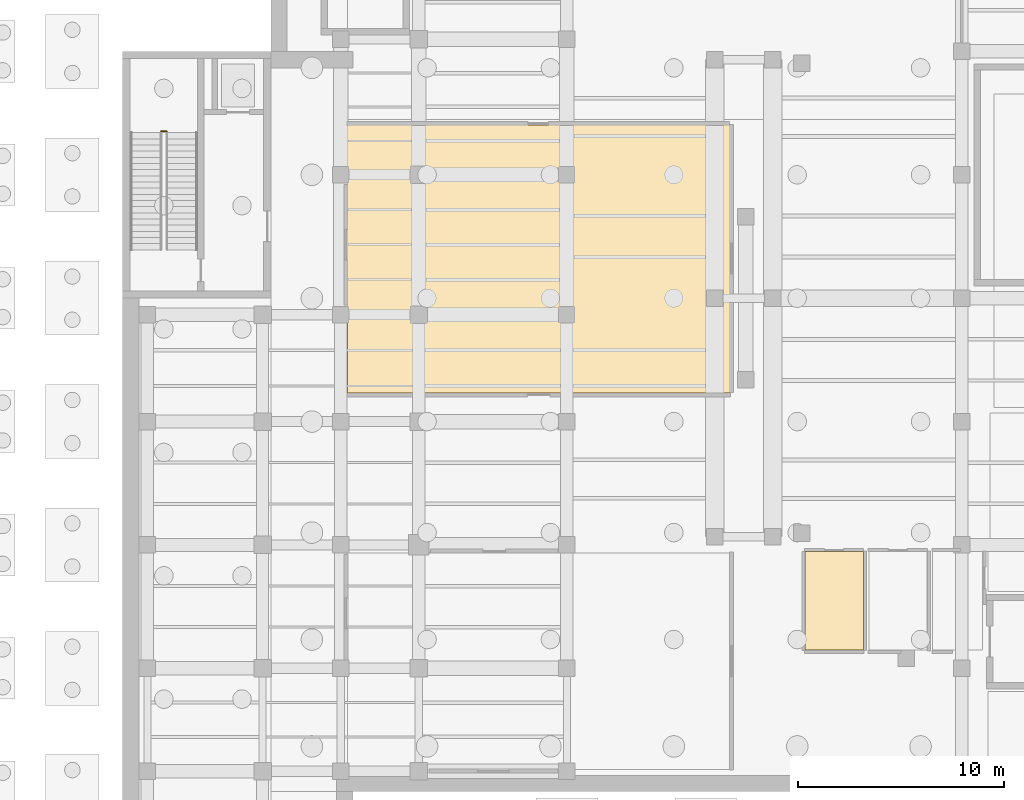
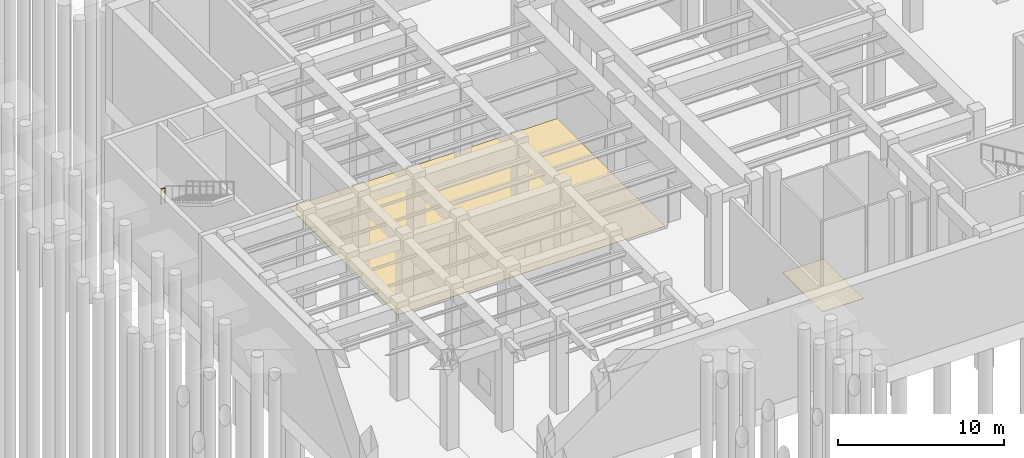
# One storey, part 23 of 30: 2 coverings, 1 railing, 1 element without a shape of its own.
"""IFC4 building model written with IfcOpenShell, lengths in metres."""

from ifc_helpers import new_model, si_unit, direction, frame, origin, origin_2d, place, context, subcontext, project, spatial, polyline, circle, outline, extrude, material, layer, layer_set, type_object, element, aggregate, save


model = new_model("IFC4")

# Units and contexts
model_context = context("Model", 3, precision=1e-05, world=origin(), true_north=direction((0.0, 1.0)))
body_context = subcontext(model_context, "Body", "Model", "MODEL_VIEW")
ifc_project = project(units=[si_unit("LENGTHUNIT", "METRE"), si_unit("AREAUNIT", "SQUARE_METRE"), si_unit("VOLUMEUNIT", "CUBIC_METRE"), si_unit("PLANEANGLEUNIT", "RADIAN"), si_unit("MASSUNIT", "GRAM", prefix="KILO")], contexts=[model_context])

# Site, building, storey
site_placement = place(None, origin())
site = spatial("IfcSite", under=ifc_project, at=site_placement, CompositionType="ELEMENT")
building_placement = place(site_placement, origin())
building = spatial("IfcBuilding", under=site, at=building_placement, Name="Kolvaren Corner Interchange", CompositionType="ELEMENT")
storey_placement = place(building_placement, frame((0.0, 0.0, -7.199951171875)))
storey = spatial("IfcBuildingStorey", under=building, at=storey_placement, Name="B1", CompositionType="ELEMENT", Elevation=-7.199951171875)

# Coverings
ifc_material_1 = material(Name="Anti-Slip Heavy-Duty Epoxy Resin Flooring")
ifc_layer_1 = layer(ifc_material_1, 0.01806640625)
ifc_layer_set_1 = layer_set([ifc_layer_1], Name="Anti-Slip Heavy-Duty Epoxy Resin Flooring")
covering_type_1 = type_object("IfcCoveringType", Name="COV-FLR-RES18", PredefinedType="FLOORING", material=ifc_layer_set_1)
covering_1_placement = place(storey_placement, origin())
element("IfcCovering", 1, at=covering_1_placement, inside=storey, type_object=covering_type_1, Name="B1 UPS and Battery Room Floor Finish", PredefinedType="FLOORING", context=body_context, shape_type="SweptSolid", body=[
    extrude(outline(polyline([(18.1298828125, 43.3798828125), (36.719970703125, 43.3798828125), (36.719970703125, 56.419921875), (18.1298828125, 56.419921875), (18.1298828125, 43.3798828125)])), origin(), (0.0, 0.0, 1.0), 0.01806640625),
])
ifc_material_2 = material(Name="Polished Niger Delta Granite Terrazzo Flooring", Category="masonry")
ifc_layer_2 = layer(ifc_material_2, 0.030029296875)
ifc_layer_set_2 = layer_set([ifc_layer_2], Name="Polished Niger Delta Granite Terrazzo Flooring")
covering_type_2 = type_object("IfcCoveringType", Name="COV-FLR-TER30", PredefinedType="FLOORING", material=ifc_layer_set_2)
covering_2_placement = place(storey_placement, origin())
element("IfcCovering", 2, at=covering_2_placement, inside=storey, type_object=covering_type_2, Name="B1 Male WC Floor Finish", PredefinedType="FLOORING", context=body_context, shape_type="SweptSolid", body=[
    extrude(outline(polyline([(40.3798828125, 30.8798828125), (43.219970703125, 30.8798828125), (43.219970703125, 35.669921875), (40.3798828125, 35.669921875), (40.3798828125, 30.8798828125)])), origin(), (0.0, 0.0, 1.0), 0.030029296875),
])

# Stair, railing
ifc_material_3 = material(Name="Concrete C35/45", Category="concrete")
stair_type = type_object("IfcStairType", Name="ST-FF-1550", PredefinedType="HALF_TURN_STAIR", material=ifc_material_3)
stair_placement = place(storey_placement, origin())
stair = element("IfcStair", 3, at=stair_placement, inside=storey, type_object=stair_type, Name="Core C2 Northwest Firefighting Stair B1 to L01 Stair", PredefinedType="HALF_TURN_STAIR")
ifc_material_4 = material(Name="Powder-Coated Steel Stairwell Guardrail", Category="steel")
railing_type = type_object("IfcRailingType", Name="RLT-STAIR-GRD1120", PredefinedType="GUARDRAIL", material=ifc_material_4)
railing_placement = place(storey_placement, frame((9.06005859375, 56.110107421875, 3.599853515625)))
railing = element("IfcRailing", 4, at=railing_placement, type_object=railing_type, Name="Core C2 Northwest Firefighting Stair B1 Half Landing Well Guardrail", PredefinedType="GUARDRAIL", context=body_context, shape_type="SweptSolid", body=[
    extrude(circle(Radius=0.02392578125, at=origin_2d()), frame((0.0, 0.0, 1.09619140625), z_axis=(1.0, 0.0, 0.0), x_axis=(0.0, 1.0, 0.0)), (0.0, 0.0, 1.0), 0.280029296875),
    extrude(circle(Radius=0.02001953125, at=origin_2d()), origin(), (0.0, 0.0, 1.0), 1.072021484375),
    extrude(circle(Radius=0.02001953125, at=origin_2d()), frame((0.280029296875, 0.0, 0.0)), (0.0, 0.0, 1.0), 1.072021484375),
])
aggregate(stair, [railing])

save(model, "model.ifc")
